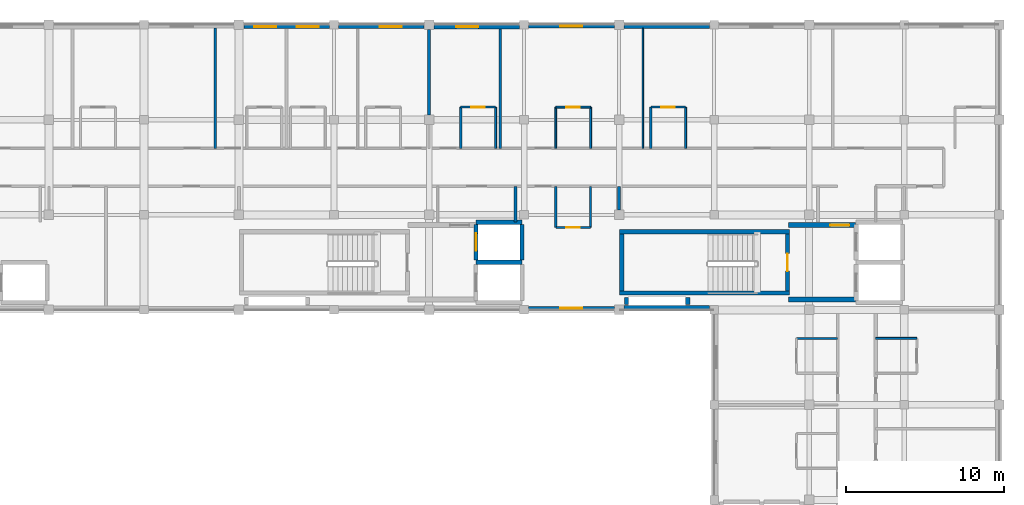
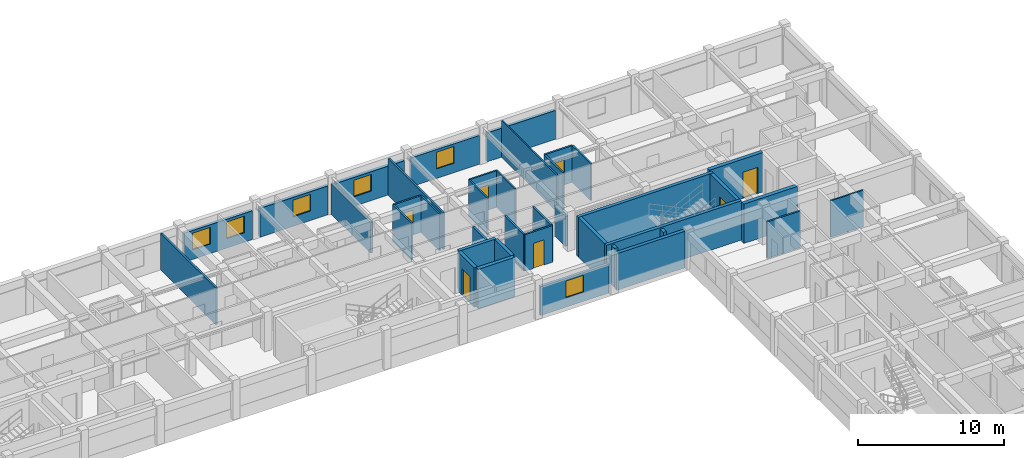
# One storey, part 14 of 21: 39 walls, 7 doors, 6 windows, 13 openings.
"""IFC4 building model written with IfcOpenShell, lengths in metres."""

from ifc_helpers import new_model, si_unit, direction, frame, frame_2d, origin, place, context, subcontext, project, spatial, rectangle, extrude, material, layer, layer_set, type_object, element, fill, save


model = new_model("IFC4")

# Units and contexts
model_context = context("Model", 3, precision=1e-05, world=origin(), true_north=direction((0.0, 1.0)))
body_context = subcontext(model_context, "Body", "Model", "MODEL_VIEW")
ifc_project = project(units=[si_unit("LENGTHUNIT", "METRE"), si_unit("AREAUNIT", "SQUARE_METRE"), si_unit("VOLUMEUNIT", "CUBIC_METRE"), si_unit("PLANEANGLEUNIT", "RADIAN"), si_unit("MASSUNIT", "GRAM", prefix="KILO"), si_unit("THERMODYNAMICTEMPERATUREUNIT", "KELVIN"), si_unit("POWERUNIT", "WATT")], contexts=[model_context])

# Site, building, storey
site_placement = place(None, origin())
site = spatial("IfcSite", under=ifc_project, at=site_placement, CompositionType="ELEMENT")
building_placement = place(site_placement, origin())
building = spatial("IfcBuilding", under=site, at=building_placement, Name="Phaisarnlok Congress Hotel", CompositionType="ELEMENT")
storey_placement = place(building_placement, frame((0.0, 0.0, 31.5)))
storey = spatial("IfcBuildingStorey", under=building, at=storey_placement, Name="L07", CompositionType="ELEMENT", Elevation=31.5)

# Wall, opening, window
ifc_material_1 = material(Name="Concrete C40/50", Category="concrete")
ifc_layer_1 = layer(ifc_material_1, 0.2099609375, Name="Concrete C40/50")
ifc_layer_set_1 = layer_set([ifc_layer_1], Name="Concrete C40/50")
wall_type_1 = type_object("IfcWallType", Name="WL-EXT-210", PredefinedType="SOLIDWALL", material=ifc_layer_set_1)
wall_1_placement = place(storey_placement, frame((155.695068359375, 125.89501953125, 0.0), z_axis=(0.0, 0.0, 1.0), x_axis=(-1.0, 0.0, 0.0)))
wall_1 = element("IfcWall", 1, at=wall_1_placement, inside=storey, type_object=wall_type_1, Name="Exterior wall EW-07 (L07)", PredefinedType="SOLIDWALL", context=body_context, shape_type="SweptSolid", body=[
    extrude(rectangle(XDim=5.4150390625, YDim=0.2099609375, at=frame_2d((2.70751953125, 0.0))), origin(), (0.0, 0.0, 1.0), 2.419921875),
])
opening_1_placement = place(wall_1_placement, frame((2.007080078125, 0.0, 0.800048828125)))
opening_1 = element("IfcOpeningElement", 2, at=opening_1_placement, cuts=wall_1, Name="Opening W-13", PredefinedType="OPENING", context=body_context, shape_type="SweptSolid", body=[
    extrude(rectangle(XDim=1.39990234375, YDim=1.39990234375, at=frame_2d((0.699951171875, 0.699951171875))), frame((0.0, 0.114990234375, 0.0), z_axis=(0.0, -1.0, 0.0), x_axis=(1.0, 0.0, 0.0)), (0.0, 0.0, 1.0), 0.22998046875),
])
ifc_material_2 = material(Name="Thermally Broken Aluminium & Low-E Double Glazing", Category="aluminium")
window_type = type_object("IfcWindowType", Name="WIN-POD-1400", PartitioningType="SINGLE_PANEL", PredefinedType="WINDOW", material=ifc_material_2)
window_1_placement = place(opening_1_placement, origin())
window_1 = element("IfcWindow", 3, at=window_1_placement, inside=storey, type_object=window_type, Name="Guestroom window W-13 (L07)", OverallHeight=1.39990234375, OverallWidth=1.39990234375, PartitioningType="SINGLE_PANEL", PredefinedType="WINDOW", context=body_context, shape_type="SweptSolid", body=[
    extrude(rectangle(XDim=1.39990234375, YDim=1.39990234375, at=frame_2d((0.699951171875, 0.699951171875))), frame((0.0, 0.030029296875, 0.0), z_axis=(0.0, -1.0, 0.0), x_axis=(1.0, 0.0, 0.0)), (0.0, 0.0, 1.0), 0.06005859375),
])
fill(opening_1, window_1)

wall_2_placement = place(storey_placement, frame((150.280029296875, 108.10498046875, 0.0), z_axis=(0.0, 0.0, 1.0), x_axis=(1.0, 0.0, 0.0)))
wall_2 = element("IfcWall", 4, at=wall_2_placement, inside=storey, type_object=wall_type_1, Name="Exterior wall EW-07 (L07)", PredefinedType="SOLIDWALL", context=body_context, shape_type="SweptSolid", body=[
    extrude(rectangle(XDim=5.4150390625, YDim=0.2099609375, at=frame_2d((2.70751953125, 0.0))), origin(), (0.0, 0.0, 1.0), 2.419921875),
])
opening_2_placement = place(wall_2_placement, frame((2.008056640625, 0.0, 0.800048828125)))
opening_2 = element("IfcOpeningElement", 5, at=opening_2_placement, cuts=wall_2, Name="Opening W-13", PredefinedType="OPENING", context=body_context, shape_type="SweptSolid", body=[
    extrude(rectangle(XDim=1.39990234375, YDim=1.39990234375, at=frame_2d((0.699951171875, 0.699951171875))), frame((0.0, 0.114990234375, 0.0), z_axis=(0.0, -1.0, 0.0), x_axis=(1.0, 0.0, 0.0)), (0.0, 0.0, 1.0), 0.22998046875),
])
window_2_placement = place(opening_2_placement, origin())
window_2 = element("IfcWindow", 6, at=window_2_placement, inside=storey, type_object=window_type, Name="Guestroom window W-13 (L07)", OverallHeight=1.39990234375, OverallWidth=1.39990234375, PartitioningType="SINGLE_PANEL", PredefinedType="WINDOW", context=body_context, shape_type="SweptSolid", body=[
    extrude(rectangle(XDim=1.39990234375, YDim=1.39990234375, at=frame_2d((0.699951171875, 0.699951171875))), frame((0.0, 0.030029296875, 0.0), z_axis=(0.0, -1.0, 0.0), x_axis=(1.0, 0.0, 0.0)), (0.0, 0.0, 1.0), 0.06005859375),
])
fill(opening_2, window_2)

# Wall
ifc_layer_2 = layer(ifc_material_1, 0.22998046875, Name="Concrete C40/50")
ifc_layer_set_2 = layer_set([ifc_layer_2], Name="Concrete C40/50")
wall_type_2 = type_object("IfcWallType", Name="WL-EXT-230", PredefinedType="SOLIDWALL", material=ifc_layer_set_2)
wall_3_placement = place(storey_placement, frame((161.719970703125, 125.885009765625, 0.0), z_axis=(0.0, 0.0, 1.0), x_axis=(-1.0, 0.0, 0.0)))
element("IfcWall", 7, at=wall_3_placement, inside=storey, type_object=wall_type_2, Name="Exterior wall EW-06 (L07)", PredefinedType="SOLIDWALL", context=body_context, shape_type="SweptSolid", body=[
    extrude(rectangle(XDim=5.4150390625, YDim=0.22998046875, at=frame_2d((2.70751953125, 0.0))), origin(), (0.0, 0.0, 1.0), 2.419921875),
])

# Wall, openings, windows
wall_4_placement = place(storey_placement, frame((137.719970703125, 125.885009765625, 0.0), z_axis=(0.0, 0.0, 1.0), x_axis=(-1.0, 0.0, 0.0)))
wall_4 = element("IfcWall", 8, at=wall_4_placement, inside=storey, type_object=wall_type_2, Name="Exterior wall EW-06 (L07)", PredefinedType="SOLIDWALL", context=body_context, shape_type="SweptSolid", body=[
    extrude(rectangle(XDim=5.4150390625, YDim=0.22998046875, at=frame_2d((2.70751953125, 0.0))), origin(), (0.0, 0.0, 1.0), 2.419921875),
])
opening_3_placement = place(wall_4_placement, frame((3.35693359375, 0.0, 0.800048828125)))
opening_3 = element("IfcOpeningElement", 9, at=opening_3_placement, cuts=wall_4, Name="Opening W-13", PredefinedType="OPENING", context=body_context, shape_type="SweptSolid", body=[
    extrude(rectangle(XDim=1.39990234375, YDim=1.39990234375, at=frame_2d((0.699951171875, 0.699951171875))), frame((0.0, 0.125, 0.0), z_axis=(0.0, -1.0, 0.0), x_axis=(1.0, 0.0, 0.0)), (0.0, 0.0, 1.0), 0.25),
])
opening_4_placement = place(wall_4_placement, frame((0.669921875, 0.0, 0.800048828125)))
opening_4 = element("IfcOpeningElement", 10, at=opening_4_placement, cuts=wall_4, Name="Opening W-13", PredefinedType="OPENING", context=body_context, shape_type="SweptSolid", body=[
    extrude(rectangle(XDim=1.39990234375, YDim=1.39990234375, at=frame_2d((0.699951171875, 0.699951171875))), frame((0.0, 0.125, 0.0), z_axis=(0.0, -1.0, 0.0), x_axis=(1.0, 0.0, 0.0)), (0.0, 0.0, 1.0), 0.25),
])
window_3_placement = place(opening_3_placement, origin())
window_3 = element("IfcWindow", 11, at=window_3_placement, inside=storey, type_object=window_type, Name="Guestroom window W-13 (L07)", OverallHeight=1.39990234375, OverallWidth=1.39990234375, PartitioningType="SINGLE_PANEL", PredefinedType="WINDOW", context=body_context, shape_type="SweptSolid", body=[
    extrude(rectangle(XDim=1.39990234375, YDim=1.39990234375, at=frame_2d((0.699951171875, 0.699951171875))), frame((0.0, 0.030029296875, 0.0), z_axis=(0.0, -1.0, 0.0), x_axis=(1.0, 0.0, 0.0)), (0.0, 0.0, 1.0), 0.06005859375),
])
fill(opening_3, window_3)
window_4_placement = place(opening_4_placement, origin())
window_4 = element("IfcWindow", 12, at=window_4_placement, inside=storey, type_object=window_type, Name="Guestroom window W-13 (L07)", OverallHeight=1.39990234375, OverallWidth=1.39990234375, PartitioningType="SINGLE_PANEL", PredefinedType="WINDOW", context=body_context, shape_type="SweptSolid", body=[
    extrude(rectangle(XDim=1.39990234375, YDim=1.39990234375, at=frame_2d((0.699951171875, 0.699951171875))), frame((0.0, 0.030029296875, 0.0), z_axis=(0.0, -1.0, 0.0), x_axis=(1.0, 0.0, 0.0)), (0.0, 0.0, 1.0), 0.06005859375),
])
fill(opening_4, window_4)

# Wall, opening, window
ifc_layer_3 = layer(ifc_material_1, 0.25, Name="Concrete C40/50")
ifc_layer_set_3 = layer_set([ifc_layer_3], Name="Concrete C40/50")
wall_type_3 = type_object("IfcWallType", Name="WL-EXT-250", PredefinedType="SOLIDWALL", material=ifc_layer_set_3)
wall_5_placement = place(storey_placement, frame((143.695068359375, 125.875, 0.0), z_axis=(0.0, 0.0, 1.0), x_axis=(-1.0, 0.0, 0.0)))
wall_5 = element("IfcWall", 13, at=wall_5_placement, inside=storey, type_object=wall_type_3, Name="Exterior wall EW-05 (L07)", PredefinedType="SOLIDWALL", context=body_context, shape_type="SweptSolid", body=[
    extrude(rectangle(XDim=5.4150390625, YDim=0.25, at=frame_2d((2.70751953125, 0.0))), origin(), (0.0, 0.0, 1.0), 2.419921875),
])
opening_5_placement = place(wall_5_placement, frame((1.407958984375, 0.0, 0.800048828125)))
opening_5 = element("IfcOpeningElement", 14, at=opening_5_placement, cuts=wall_5, Name="Opening W-13", PredefinedType="OPENING", context=body_context, shape_type="SweptSolid", body=[
    extrude(rectangle(XDim=1.39990234375, YDim=1.39990234375, at=frame_2d((0.699951171875, 0.699951171875))), frame((0.0, 0.135009765625, 0.0), z_axis=(0.0, -1.0, 0.0), x_axis=(1.0, 0.0, 0.0)), (0.0, 0.0, 1.0), 0.27001953125),
])
window_5_placement = place(opening_5_placement, origin())
window_5 = element("IfcWindow", 15, at=window_5_placement, inside=storey, type_object=window_type, Name="Guestroom window W-13 (L07)", OverallHeight=1.39990234375, OverallWidth=1.39990234375, PartitioningType="SINGLE_PANEL", PredefinedType="WINDOW", context=body_context, shape_type="SweptSolid", body=[
    extrude(rectangle(XDim=1.39990234375, YDim=1.39990234375, at=frame_2d((0.699951171875, 0.699951171875))), frame((0.0, 0.030029296875, 0.0), z_axis=(0.0, -1.0, 0.0), x_axis=(1.0, 0.0, 0.0)), (0.0, 0.0, 1.0), 0.06005859375),
])
fill(opening_5, window_5)

ifc_layer_4 = layer(ifc_material_1, 0.27001953125, Name="Concrete C40/50")
ifc_layer_set_4 = layer_set([ifc_layer_4], Name="Concrete C40/50")
wall_type_4 = type_object("IfcWallType", Name="WL-EXT-270", PredefinedType="SOLIDWALL", material=ifc_layer_set_4)
wall_6_placement = place(storey_placement, frame((149.719970703125, 125.864990234375, 0.0), z_axis=(0.0, 0.0, 1.0), x_axis=(-1.0, 0.0, 0.0)))
wall_6 = element("IfcWall", 16, at=wall_6_placement, inside=storey, type_object=wall_type_4, Name="Exterior wall EW-04 (L07)", PredefinedType="SOLIDWALL", context=body_context, shape_type="SweptSolid", body=[
    extrude(rectangle(XDim=5.4150390625, YDim=0.27001953125, at=frame_2d((2.70751953125, 0.0))), origin(), (0.0, 0.0, 1.0), 2.419921875),
])
opening_6_placement = place(wall_6_placement, frame((2.60693359375, 0.0, 0.800048828125)))
opening_6 = element("IfcOpeningElement", 17, at=opening_6_placement, cuts=wall_6, Name="Opening W-13", PredefinedType="OPENING", context=body_context, shape_type="SweptSolid", body=[
    extrude(rectangle(XDim=1.39990234375, YDim=1.39990234375, at=frame_2d((0.699951171875, 0.699951171875))), frame((0.0, 0.14501953125, 0.0), z_axis=(0.0, -1.0, 0.0), x_axis=(1.0, 0.0, 0.0)), (0.0, 0.0, 1.0), 0.2900390625),
])
window_6_placement = place(opening_6_placement, origin())
window_6 = element("IfcWindow", 18, at=window_6_placement, inside=storey, type_object=window_type, Name="Guestroom window W-13 (L07)", OverallHeight=1.39990234375, OverallWidth=1.39990234375, PartitioningType="SINGLE_PANEL", PredefinedType="WINDOW", context=body_context, shape_type="SweptSolid", body=[
    extrude(rectangle(XDim=1.39990234375, YDim=1.39990234375, at=frame_2d((0.699951171875, 0.699951171875))), frame((0.0, 0.030029296875, 0.0), z_axis=(0.0, -1.0, 0.0), x_axis=(1.0, 0.0, 0.0)), (0.0, 0.0, 1.0), 0.06005859375),
])
fill(opening_6, window_6)

# Walls
wall_7_placement = place(storey_placement, frame((156.304931640625, 108.135009765625, 0.0), z_axis=(0.0, 0.0, 1.0), x_axis=(1.0, 0.0, 0.0)))
element("IfcWall", 19, at=wall_7_placement, inside=storey, type_object=wall_type_4, Name="Exterior wall EW-04 (L07)", PredefinedType="SOLIDWALL", context=body_context, shape_type="SweptSolid", body=[
    extrude(rectangle(XDim=5.4150390625, YDim=0.27001953125, at=frame_2d((2.70751953125, 0.0))), origin(), (0.0, 0.0, 1.0), 3.070068359375),
])
ifc_material_3 = material(Name="Service Riser Shaftwall Partition", Category="gypsum")
ifc_layer_5 = layer(ifc_material_3, 0.10498046875, Name="Service Riser Shaftwall Partition")
ifc_layer_set_5 = layer_set([ifc_layer_5], Name="Service Riser Shaftwall Partition")
wall_type_5 = type_object("IfcWallType", Name="WL-INT-105", PredefinedType="PARTITIONING", material=ifc_layer_set_5)
wall_8_placement = place(storey_placement, frame((157.5, 118.199951171875, 0.0), z_axis=(0.0, 0.0, 1.0), x_axis=(0.0, 1.0, 0.0)))
element("IfcWall", 20, at=wall_8_placement, inside=storey, type_object=wall_type_5, Name="Interior partition wall IW-08 (L07)", PredefinedType="PARTITIONING", context=body_context, shape_type="SweptSolid", body=[
    extrude(rectangle(XDim=7.56494140625, YDim=0.10498046875, at=frame_2d((3.782470703125, 0.0))), origin(), (0.0, 0.0, 1.0), 3.070068359375),
])
ifc_material_4 = material(Name="Lightweight Metal-Stud Gypsum Partition", Category="gypsum")
ifc_layer_6 = layer(ifc_material_4, 0.1201171875, Name="Lightweight Metal-Stud Gypsum Partition")
ifc_layer_set_6 = layer_set([ifc_layer_6], Name="Lightweight Metal-Stud Gypsum Partition")
wall_type_6 = type_object("IfcWallType", Name="WL-INT-120", PredefinedType="PARTITIONING", material=ifc_layer_set_6)
for number, where, z_axis, x_axis, name in (
    (21, (148.199951171875, 118.199951171875, 0.0), (0.0, 0.0, 1.0), (0.0, 1.0, 0.0), "Interior partition wall IW-07 (L07)"),
    (22, (152.0, 118.199951171875, 0.0), (0.0, 0.0, 1.0), (0.0, 1.0, 0.0), "Interior partition wall IW-07 (L07)"),
    (23, (154.199951171875, 118.199951171875, 0.0), (0.0, 0.0, 1.0), (0.0, 1.0, 0.0), "Interior partition wall IW-07 (L07)"),
    (24, (160.199951171875, 118.199951171875, 0.0), (0.0, 0.0, 1.0), (0.0, 1.0, 0.0), "Interior partition wall IW-07 (L07)"),
    (25, (172.199951171875, 106.199951171875, 0.0), (0.0, 0.0, 1.0), (1.0, 0.0, 0.0), "Interior partition wall IW-07 (L07)"),
):
    element("IfcWall", number, at=place(storey_placement, frame(where, z_axis=z_axis, x_axis=x_axis)), inside=storey, type_object=wall_type_6, Name=name, PredefinedType="PARTITIONING", context=body_context, shape_type="SweptSolid", body=[
        extrude(rectangle(XDim=2.60009765625, YDim=0.1201171875, at=frame_2d((1.300048828125, 0.0))), origin(), (0.0, 0.0, 1.0), 3.070068359375),
    ])

# Wall, opening, door
wall_9_placement = place(storey_placement, frame((152.0, 120.800048828125, 0.0), z_axis=(0.0, 0.0, 1.0), x_axis=(1.0, 0.0, 0.0)))
wall_9 = element("IfcWall", 26, at=wall_9_placement, inside=storey, type_object=wall_type_6, Name="Interior partition wall IW-07 (L07)", PredefinedType="PARTITIONING", context=body_context, shape_type="SweptSolid", body=[
    extrude(rectangle(XDim=2.199951171875, YDim=0.1201171875, at=frame_2d((1.10009765625, 0.0))), origin(), (0.0, 0.0, 1.0), 3.070068359375),
])
opening_7_placement = place(wall_9_placement, frame((0.675048828125, 0.0, 0.0)))
opening_7 = element("IfcOpeningElement", 27, at=opening_7_placement, cuts=wall_9, Name="Opening D-0349", PredefinedType="OPENING", context=body_context, shape_type="SweptSolid", body=[
    extrude(rectangle(XDim=0.85009765625, YDim=2.10009765625, at=frame_2d((0.425048828125, 1.050048828125))), frame((0.0, 0.070068359375, 0.0), z_axis=(0.0, -1.0, 0.0), x_axis=(1.0, 0.0, 0.0)), (0.0, 0.0, 1.0), 0.14013671875),
])
ifc_material_5 = material(Name="Moisture-Resistant Lacquered Timber", Category="wood")
door_type_1 = type_object("IfcDoorType", Name="DR-BATH-850", OperationType="NOTDEFINED", PredefinedType="DOOR", material=ifc_material_5)
door_1_placement = place(opening_7_placement, origin())
door_1 = element("IfcDoor", 28, at=door_1_placement, inside=storey, type_object=door_type_1, Name="Interior door D-0349 (L07)", OperationType="SINGLE_SWING_LEFT", OverallHeight=2.10009765625, OverallWidth=0.85009765625, PredefinedType="DOOR", context=body_context, shape_type="SweptSolid", body=[
    extrude(rectangle(XDim=0.85009765625, YDim=2.10009765625, at=frame_2d((0.425048828125, 1.050048828125))), frame((0.0, 0.02490234375, 0.0), z_axis=(0.0, -1.0, 0.0), x_axis=(1.0, 0.0, 0.0)), (0.0, 0.0, 1.0), 0.050048828125),
])
fill(opening_7, door_1)

# Walls
ifc_material_6 = material(Name="Moisture-Resistant Gypsum Partition", Category="gypsum")
ifc_layer_7 = layer(ifc_material_6, 0.135009765625, Name="Moisture-Resistant Gypsum Partition")
ifc_layer_set_7 = layer_set([ifc_layer_7], Name="Moisture-Resistant Gypsum Partition")
wall_type_7 = type_object("IfcWallType", Name="WL-INT-135", PredefinedType="PARTITIONING", material=ifc_layer_set_7)
for number, where, z_axis, x_axis, name in (
    (29, (146.0, 118.199951171875, 0.0), (0.0, 0.0, 1.0), (0.0, 1.0, 0.0), "Interior partition wall IW-06 (L07)"),
    (30, (152.0, 113.199951171875, 0.0), (0.0, 0.0, 1.0), (0.0, 1.0, 0.0), "Interior partition wall IW-06 (L07)"),
    (31, (154.199951171875, 113.199951171875, 0.0), (0.0, 0.0, 1.0), (0.0, 1.0, 0.0), "Interior partition wall IW-06 (L07)"),
    (32, (158.0, 118.199951171875, 0.0), (0.0, 0.0, 1.0), (0.0, 1.0, 0.0), "Interior partition wall IW-06 (L07)"),
    (33, (167.199951171875, 106.199951171875, 0.0), (0.0, 0.0, 1.0), (1.0, 0.0, 0.0), "Interior partition wall IW-06 (L07)"),
):
    element("IfcWall", number, at=place(storey_placement, frame(where, z_axis=z_axis, x_axis=x_axis)), inside=storey, type_object=wall_type_7, Name=name, PredefinedType="PARTITIONING", context=body_context, shape_type="SweptSolid", body=[
        extrude(rectangle(XDim=2.60009765625, YDim=0.135009765625, at=frame_2d((1.300048828125, 0.0))), origin(), (0.0, 0.0, 1.0), 3.070068359375),
    ])

# Wall, opening, door
wall_10_placement = place(storey_placement, frame((152.0, 113.199951171875, 0.0), z_axis=(0.0, 0.0, 1.0), x_axis=(1.0, 0.0, 0.0)))
wall_10 = element("IfcWall", 34, at=wall_10_placement, inside=storey, type_object=wall_type_7, Name="Interior partition wall IW-06 (L07)", PredefinedType="PARTITIONING", context=body_context, shape_type="SweptSolid", body=[
    extrude(rectangle(XDim=2.199951171875, YDim=0.135009765625, at=frame_2d((1.10009765625, 0.0))), origin(), (0.0, 0.0, 1.0), 3.070068359375),
])
opening_8_placement = place(wall_10_placement, frame((0.675048828125, 0.0, 0.0)))
opening_8 = element("IfcOpeningElement", 35, at=opening_8_placement, cuts=wall_10, Name="Opening D-0357", PredefinedType="OPENING", context=body_context, shape_type="SweptSolid", body=[
    extrude(rectangle(XDim=0.85009765625, YDim=2.10009765625, at=frame_2d((0.425048828125, 1.050048828125))), frame((0.0, 0.07763671875, 0.0), z_axis=(0.0, -1.0, 0.0), x_axis=(1.0, 0.0, 0.0)), (0.0, 0.0, 1.0), 0.155029296875),
])
door_2_placement = place(opening_8_placement, origin())
door_2 = element("IfcDoor", 36, at=door_2_placement, inside=storey, type_object=door_type_1, Name="Interior door D-0357 (L07)", OperationType="SINGLE_SWING_LEFT", OverallHeight=2.10009765625, OverallWidth=0.85009765625, PredefinedType="DOOR", context=body_context, shape_type="SweptSolid", body=[
    extrude(rectangle(XDim=0.85009765625, YDim=2.10009765625, at=frame_2d((0.425048828125, 1.050048828125))), frame((0.0, 0.02490234375, 0.0), z_axis=(0.0, -1.0, 0.0), x_axis=(1.0, 0.0, 0.0)), (0.0, 0.0, 1.0), 0.050048828125),
])
fill(opening_8, door_2)

wall_11_placement = place(storey_placement, frame((146.0, 120.800048828125, 0.0), z_axis=(0.0, 0.0, 1.0), x_axis=(1.0, 0.0, 0.0)))
wall_11 = element("IfcWall", 37, at=wall_11_placement, inside=storey, type_object=wall_type_7, Name="Interior partition wall IW-06 (L07)", PredefinedType="PARTITIONING", context=body_context, shape_type="SweptSolid", body=[
    extrude(rectangle(XDim=2.199951171875, YDim=0.135009765625, at=frame_2d((1.10009765625, 0.0))), origin(), (0.0, 0.0, 1.0), 3.070068359375),
])
opening_9_placement = place(wall_11_placement, frame((0.675048828125, 0.0, 0.0)))
opening_9 = element("IfcOpeningElement", 38, at=opening_9_placement, cuts=wall_11, Name="Opening D-0347", PredefinedType="OPENING", context=body_context, shape_type="SweptSolid", body=[
    extrude(rectangle(XDim=0.85009765625, YDim=2.10009765625, at=frame_2d((0.425048828125, 1.050048828125))), frame((0.0, 0.07763671875, 0.0), z_axis=(0.0, -1.0, 0.0), x_axis=(1.0, 0.0, 0.0)), (0.0, 0.0, 1.0), 0.155029296875),
])
door_3_placement = place(opening_9_placement, origin())
door_3 = element("IfcDoor", 39, at=door_3_placement, inside=storey, type_object=door_type_1, Name="Interior door D-0347 (L07)", OperationType="SINGLE_SWING_LEFT", OverallHeight=2.10009765625, OverallWidth=0.85009765625, PredefinedType="DOOR", context=body_context, shape_type="SweptSolid", body=[
    extrude(rectangle(XDim=0.85009765625, YDim=2.10009765625, at=frame_2d((0.425048828125, 1.050048828125))), frame((0.0, 0.02490234375, 0.0), z_axis=(0.0, -1.0, 0.0), x_axis=(1.0, 0.0, 0.0)), (0.0, 0.0, 1.0), 0.050048828125),
])
fill(opening_9, door_3)

wall_12_placement = place(storey_placement, frame((158.0, 120.800048828125, 0.0), z_axis=(0.0, 0.0, 1.0), x_axis=(1.0, 0.0, 0.0)))
wall_12 = element("IfcWall", 40, at=wall_12_placement, inside=storey, type_object=wall_type_7, Name="Interior partition wall IW-06 (L07)", PredefinedType="PARTITIONING", context=body_context, shape_type="SweptSolid", body=[
    extrude(rectangle(XDim=2.199951171875, YDim=0.135009765625, at=frame_2d((1.10009765625, 0.0))), origin(), (0.0, 0.0, 1.0), 3.070068359375),
])
opening_10_placement = place(wall_12_placement, frame((0.675048828125, 0.0, 0.0)))
opening_10 = element("IfcOpeningElement", 41, at=opening_10_placement, cuts=wall_12, Name="Opening D-0351", PredefinedType="OPENING", context=body_context, shape_type="SweptSolid", body=[
    extrude(rectangle(XDim=0.85009765625, YDim=2.10009765625, at=frame_2d((0.425048828125, 1.050048828125))), frame((0.0, 0.07763671875, 0.0), z_axis=(0.0, -1.0, 0.0), x_axis=(1.0, 0.0, 0.0)), (0.0, 0.0, 1.0), 0.155029296875),
])
door_4_placement = place(opening_10_placement, origin())
door_4 = element("IfcDoor", 42, at=door_4_placement, inside=storey, type_object=door_type_1, Name="Interior door D-0351 (L07)", OperationType="SINGLE_SWING_LEFT", OverallHeight=2.10009765625, OverallWidth=0.85009765625, PredefinedType="DOOR", context=body_context, shape_type="SweptSolid", body=[
    extrude(rectangle(XDim=0.85009765625, YDim=2.10009765625, at=frame_2d((0.425048828125, 1.050048828125))), frame((0.0, 0.02490234375, 0.0), z_axis=(0.0, -1.0, 0.0), x_axis=(1.0, 0.0, 0.0)), (0.0, 0.0, 1.0), 0.050048828125),
])
fill(opening_10, door_4)

# Walls
ifc_material_7 = material(Name="Acoustic Gypsum Board & Mineral Wool", Category="gypsum")
ifc_layer_8 = layer(ifc_material_7, 0.14990234375, Name="Acoustic Gypsum Board & Mineral Wool")
ifc_layer_set_8 = layer_set([ifc_layer_8], Name="Acoustic Gypsum Board & Mineral Wool")
wall_type_8 = type_object("IfcWallType", Name="WL-INT-150", PredefinedType="PARTITIONING", material=ifc_layer_set_8)
wall_13_placement = place(storey_placement, frame((130.5, 118.199951171875, 0.0), z_axis=(0.0, 0.0, 1.0), x_axis=(0.0, 1.0, 0.0)))
element("IfcWall", 43, at=wall_13_placement, inside=storey, type_object=wall_type_8, Name="Interior partition wall IW-05 (L07)", PredefinedType="PARTITIONING", context=body_context, shape_type="SweptSolid", body=[
    extrude(rectangle(XDim=7.5849609375, YDim=0.14990234375, at=frame_2d((3.79248046875, 0.0))), origin(), (0.0, 0.0, 1.0), 3.070068359375),
])
wall_14_placement = place(storey_placement, frame((148.5, 118.199951171875, 0.0), z_axis=(0.0, 0.0, 1.0), x_axis=(0.0, 1.0, 0.0)))
element("IfcWall", 44, at=wall_14_placement, inside=storey, type_object=wall_type_8, Name="Interior partition wall IW-05 (L07)", PredefinedType="PARTITIONING", context=body_context, shape_type="SweptSolid", body=[
    extrude(rectangle(XDim=7.525146484375, YDim=0.14990234375, at=frame_2d((3.7626953125, 0.0))), origin(), (0.0, 0.0, 1.0), 3.070068359375),
])
ifc_material_8 = material(Name="Autoclaved Aerated Concrete Block", Category="concrete")
ifc_layer_9 = layer(ifc_material_8, 0.199951171875, Name="Autoclaved Aerated Concrete Block")
ifc_layer_set_9 = layer_set([ifc_layer_9], Name="Autoclaved Aerated Concrete Block")
wall_type_9 = type_object("IfcWallType", Name="WL-INT-200", PredefinedType="PARTITIONING", material=ifc_layer_set_9)
wall_15_placement = place(storey_placement, frame((144.0, 120.304931640625, 0.0), z_axis=(0.0, 0.0, 1.0), x_axis=(0.0, 1.0, 0.0)))
element("IfcWall", 45, at=wall_15_placement, inside=storey, type_object=wall_type_9, Name="Interior partition wall IW-02 (L07)", PredefinedType="PARTITIONING", context=body_context, shape_type="SweptSolid", body=[
    extrude(rectangle(XDim=5.39013671875, YDim=0.199951171875, at=frame_2d((2.695068359375, 0.0))), origin(), (0.0, 0.0, 1.0), 2.570068359375),
])
wall_16_placement = place(storey_placement, frame((149.449951171875, 113.56005859375, 0.0), z_axis=(0.0, 0.0, 1.0), x_axis=(0.0, 1.0, 0.0)))
element("IfcWall", 46, at=wall_16_placement, inside=storey, type_object=wall_type_9, Name="Interior partition wall IW-02 (L07)", PredefinedType="PARTITIONING", context=body_context, shape_type="SweptSolid", body=[
    extrude(rectangle(XDim=2.239990234375, YDim=0.199951171875, at=frame_2d((1.1201171875, 0.0))), origin(), (0.0, 0.0, 1.0), 3.070068359375),
])
wall_17_placement = place(storey_placement, frame((156.0, 114.304931640625, 0.0), z_axis=(0.0, 0.0, 1.0), x_axis=(0.0, 1.0, 0.0)))
element("IfcWall", 47, at=wall_17_placement, inside=storey, type_object=wall_type_9, Name="Interior partition wall IW-02 (L07)", PredefinedType="PARTITIONING", context=body_context, shape_type="SweptSolid", body=[
    extrude(rectangle(XDim=1.4951171875, YDim=0.199951171875, at=frame_2d((0.74755859375, 0.0))), origin(), (0.0, 0.0, 1.0), 2.52001953125),
])
ifc_material_9 = material(Name="Concrete C50/60", Category="concrete")
ifc_layer_10 = layer(ifc_material_9, 0.260009765625, Name="Concrete C50/60")
ifc_layer_set_10 = layer_set([ifc_layer_10], Name="Concrete C50/60")
wall_type_10 = type_object("IfcWallType", Name="WL-SHR-260", PredefinedType="SHEAR", material=ifc_layer_set_10)
for number, where, z_axis, x_axis, name in (
    (48, (156.0400390625, 109.070068359375, 0.0), (0.0, 0.0, 1.0), (1.0, 0.0, 0.0), "Stair shaft shear wall SW-04 (CORE-1 L07)"),
    (49, (156.0400390625, 112.929931640625, 0.0), (0.0, 0.0, 1.0), (1.0, 0.0, 0.0), "Stair shaft shear wall SW-04 (CORE-1 L07)"),
):
    element("IfcWall", number, at=place(storey_placement, frame(where, z_axis=z_axis, x_axis=x_axis)), inside=storey, type_object=wall_type_10, Name=name, PredefinedType="SHEAR", context=body_context, shape_type="SweptSolid", body=[
        extrude(rectangle(XDim=10.719970703125, YDim=0.260009765625, at=frame_2d((5.35986328125, 0.0))), origin(), (0.0, 0.0, 1.0), 3.300048828125),
    ])
wall_18_placement = place(storey_placement, frame((156.169921875, 109.199951171875, 0.0), z_axis=(0.0, 0.0, 1.0), x_axis=(0.0, 1.0, 0.0)))
element("IfcWall", 50, at=wall_18_placement, inside=storey, type_object=wall_type_10, Name="Stair shaft shear wall SW-04 (CORE-1 L07)", PredefinedType="SHEAR", context=body_context, shape_type="SweptSolid", body=[
    extrude(rectangle(XDim=3.60009765625, YDim=0.260009765625, at=frame_2d((1.800048828125, 0.0))), origin(), (0.0, 0.0, 1.0), 3.300048828125),
])

# Wall, opening, door
wall_19_placement = place(storey_placement, frame((166.6298828125, 109.199951171875, 0.0), z_axis=(0.0, 0.0, 1.0), x_axis=(0.0, 1.0, 0.0)))
wall_19 = element("IfcWall", 51, at=wall_19_placement, inside=storey, type_object=wall_type_10, Name="Stair shaft shear wall SW-04 (CORE-1 L07)", PredefinedType="SHEAR", context=body_context, shape_type="SweptSolid", body=[
    extrude(rectangle(XDim=3.60009765625, YDim=0.260009765625, at=frame_2d((1.800048828125, 0.0))), origin(), (0.0, 0.0, 1.0), 3.300048828125),
])
opening_11_placement = place(wall_19_placement, frame((1.25, 0.0, 0.0)))
opening_11 = element("IfcOpeningElement", 52, at=opening_11_placement, cuts=wall_19, Name="Opening FD-009", PredefinedType="OPENING", context=body_context, shape_type="SweptSolid", body=[
    extrude(rectangle(XDim=1.10009765625, YDim=2.14990234375, at=frame_2d((0.550048828125, 1.074951171875))), frame((0.0, 0.14013671875, 0.0), z_axis=(0.0, -1.0, 0.0), x_axis=(1.0, 0.0, 0.0)), (0.0, 0.0, 1.0), 0.280029296875),
])
ifc_material_10 = material(Name="Fire-Rated Steel Frame & Timber Leaf", Category="steel")
door_type_2 = type_object("IfcDoorType", Name="DR-FD60-1100", OperationType="NOTDEFINED", PredefinedType="DOOR", material=ifc_material_10)
door_5_placement = place(opening_11_placement, origin())
door_5 = element("IfcDoor", 53, at=door_5_placement, inside=storey, type_object=door_type_2, Name="Stair enclosure fire door FD-009 (L07)", OperationType="SINGLE_SWING_RIGHT", OverallHeight=2.14990234375, OverallWidth=1.10009765625, PredefinedType="DOOR", context=body_context, shape_type="SweptSolid", body=[
    extrude(rectangle(XDim=1.10009765625, YDim=2.14990234375, at=frame_2d((0.550048828125, 1.074951171875))), frame((0.0, 0.02490234375, 0.0), z_axis=(0.0, -1.0, 0.0), x_axis=(1.0, 0.0, 0.0)), (0.0, 0.0, 1.0), 0.050048828125),
])
fill(opening_11, door_5)

# Walls
for number, where, z_axis, x_axis, name in (
    (54, (156.469970703125, 108.330078125, 0.0), (0.0, 0.0, 1.0), (0.0, 1.0, 0.0), "Service riser shaft wall SW-04 (CORE-1 L07)"),
    (55, (160.330078125, 108.330078125, 0.0), (0.0, 0.0, 1.0), (0.0, 1.0, 0.0), "Service riser shaft wall SW-04 (CORE-1 L07)"),
):
    element("IfcWall", number, at=place(storey_placement, frame(where, z_axis=z_axis, x_axis=x_axis)), inside=storey, type_object=wall_type_10, Name=name, PredefinedType="SHEAR", context=body_context, shape_type="SweptSolid", body=[
        extrude(rectangle(XDim=0.43994140625, YDim=0.260009765625, at=frame_2d((0.219970703125, 0.0))), origin(), (0.0, 0.0, 1.0), 3.300048828125),
    ])
wall_20_placement = place(storey_placement, frame((146.969970703125, 113.530029296875, 0.0), z_axis=(0.0, 0.0, 1.0), x_axis=(1.0, 0.0, 0.0)))
element("IfcWall", 56, at=wall_20_placement, inside=storey, type_object=wall_type_10, Name="Lift shaft shear wall SW-04 (LF-HP2 L07)", PredefinedType="SHEAR", context=body_context, shape_type="SweptSolid", body=[
    extrude(rectangle(XDim=2.909912109375, YDim=0.260009765625, at=frame_2d((1.455078125, 0.0))), origin(), (0.0, 0.0, 1.0), 3.300048828125),
])
wall_21_placement = place(storey_placement, frame((149.8798828125, 111.14990234375, 0.0), z_axis=(0.0, 0.0, 1.0), x_axis=(0.0, 1.0, 0.0)))
element("IfcWall", 57, at=wall_21_placement, inside=storey, type_object=wall_type_10, Name="Lift shaft shear wall SW-04 (LF-HP2 L07)", PredefinedType="SHEAR", context=body_context, shape_type="SweptSolid", body=[
    extrude(rectangle(XDim=2.25, YDim=0.260009765625, at=frame_2d((1.125, 0.0))), origin(), (0.0, 0.0, 1.0), 3.300048828125),
])

# Wall, opening, door
wall_22_placement = place(storey_placement, frame((146.969970703125, 111.14990234375, 0.0), z_axis=(0.0, 0.0, 1.0), x_axis=(0.0, 1.0, 0.0)))
wall_22 = element("IfcWall", 58, at=wall_22_placement, inside=storey, type_object=wall_type_10, Name="Lift shaft front wall SW-04 (LF-HP2 L07)", PredefinedType="SHEAR", context=body_context, shape_type="SweptSolid", body=[
    extrude(rectangle(XDim=2.25, YDim=0.260009765625, at=frame_2d((1.125, 0.0))), origin(), (0.0, 0.0, 1.0), 3.300048828125),
])
opening_12_placement = place(wall_22_placement, frame((0.574951171875, 0.0, 0.0)))
opening_12 = element("IfcOpeningElement", 59, at=opening_12_placement, cuts=wall_22, Name="Opening LD-054", PredefinedType="OPENING", context=body_context, shape_type="SweptSolid", body=[
    extrude(rectangle(XDim=1.10009765625, YDim=2.199951171875, at=frame_2d((0.550048828125, 1.10009765625))), frame((0.0, 0.14013671875, 0.0), z_axis=(0.0, -1.0, 0.0), x_axis=(1.0, 0.0, 0.0)), (0.0, 0.0, 1.0), 0.280029296875),
])
ifc_material_11 = material(Name="Brushed Stainless Steel Grade 304", Category="steel")
door_type_3 = type_object("IfcDoorType", Name="DR-LD-1100", OperationType="DOUBLE_DOOR_SLIDING", PredefinedType="DOOR", material=ifc_material_11)
door_6_placement = place(opening_12_placement, origin())
door_6 = element("IfcDoor", 60, at=door_6_placement, inside=storey, type_object=door_type_3, Name="Lift landing sliding door LD-054 (LF-HP2 L07)", OperationType="DOUBLE_DOOR_SLIDING", OverallHeight=2.199951171875, OverallWidth=1.10009765625, PredefinedType="DOOR", context=body_context, shape_type="SweptSolid", body=[
    extrude(rectangle(XDim=1.10009765625, YDim=2.199951171875, at=frame_2d((0.550048828125, 1.10009765625))), frame((0.0, 0.02490234375, 0.0), z_axis=(0.0, -1.0, 0.0), x_axis=(1.0, 0.0, 0.0)), (0.0, 0.0, 1.0), 0.050048828125),
])
fill(opening_12, door_6)

ifc_layer_11 = layer(ifc_material_9, 0.300048828125, Name="Concrete C50/60")
ifc_layer_set_11 = layer_set([ifc_layer_11], Name="Concrete C50/60")
wall_type_11 = type_object("IfcWallType", Name="WL-SHR-300", PredefinedType="SHEAR", material=ifc_layer_set_11)
wall_23_placement = place(storey_placement, frame((166.679931640625, 113.35009765625, 0.0), z_axis=(0.0, 0.0, 1.0), x_axis=(1.0, 0.0, 0.0)))
wall_23 = element("IfcWall", 61, at=wall_23_placement, inside=storey, type_object=wall_type_11, Name="Core lobby EI-120 wall SW-03 (CORE-1 L07)", PredefinedType="SHEAR", context=body_context, shape_type="SweptSolid", body=[
    extrude(rectangle(XDim=4.239990234375, YDim=0.300048828125, at=frame_2d((2.1201171875, 0.0))), origin(), (0.0, 0.0, 1.0), 3.300048828125),
])
opening_13_placement = place(wall_23_placement, frame((2.64990234375, 0.0, 0.0)))
opening_13 = element("IfcOpeningElement", 62, at=opening_13_placement, cuts=wall_23, Name="Opening FD-024", PredefinedType="OPENING", context=body_context, shape_type="SweptSolid", body=[
    extrude(rectangle(XDim=1.199951171875, YDim=2.199951171875, at=frame_2d((0.60009765625, 1.10009765625))), frame((0.0, 0.16015625, 0.0), z_axis=(0.0, -1.0, 0.0), x_axis=(1.0, 0.0, 0.0)), (0.0, 0.0, 1.0), 0.320068359375),
])
door_type_4 = type_object("IfcDoorType", Name="DR-FD60-1200", OperationType="NOTDEFINED", PredefinedType="DOOR", material=ifc_material_10)
door_7_placement = place(opening_13_placement, origin())
door_7 = element("IfcDoor", 63, at=door_7_placement, inside=storey, type_object=door_type_4, Name="Firefighting lobby entrance door FD-024 (CORE-1 L07)", OperationType="SINGLE_SWING_LEFT", OverallHeight=2.199951171875, OverallWidth=1.199951171875, PredefinedType="DOOR", context=body_context, shape_type="SweptSolid", body=[
    extrude(rectangle(XDim=1.199951171875, YDim=2.199951171875, at=frame_2d((0.60009765625, 1.10009765625))), frame((0.0, 0.02490234375, 0.0), z_axis=(0.0, -1.0, 0.0), x_axis=(1.0, 0.0, 0.0)), (0.0, 0.0, 1.0), 0.050048828125),
])
fill(opening_13, door_7)

# Walls
wall_24_placement = place(storey_placement, frame((166.679931640625, 108.64990234375, 0.0), z_axis=(0.0, 0.0, 1.0), x_axis=(1.0, 0.0, 0.0)))
element("IfcWall", 64, at=wall_24_placement, inside=storey, type_object=wall_type_11, Name="Core lobby EI-120 wall SW-03 (CORE-1 L07)", PredefinedType="SHEAR", context=body_context, shape_type="SweptSolid", body=[
    extrude(rectangle(XDim=4.239990234375, YDim=0.300048828125, at=frame_2d((2.1201171875, 0.0))), origin(), (0.0, 0.0, 1.0), 3.300048828125),
])
wall_25_placement = place(storey_placement, frame((146.969970703125, 111.0, 0.0), z_axis=(0.0, 0.0, 1.0), x_axis=(1.0, 0.0, 0.0)))
element("IfcWall", 65, at=wall_25_placement, inside=storey, type_object=wall_type_11, Name="Lift shaft divider shear wall SW-03 (LF-FF2 L07)", PredefinedType="SHEAR", context=body_context, shape_type="SweptSolid", body=[
    extrude(rectangle(XDim=2.909912109375, YDim=0.300048828125, at=frame_2d((1.455078125, 0.0))), origin(), (0.0, 0.0, 1.0), 3.300048828125),
])

save(model, "model.ifc")
